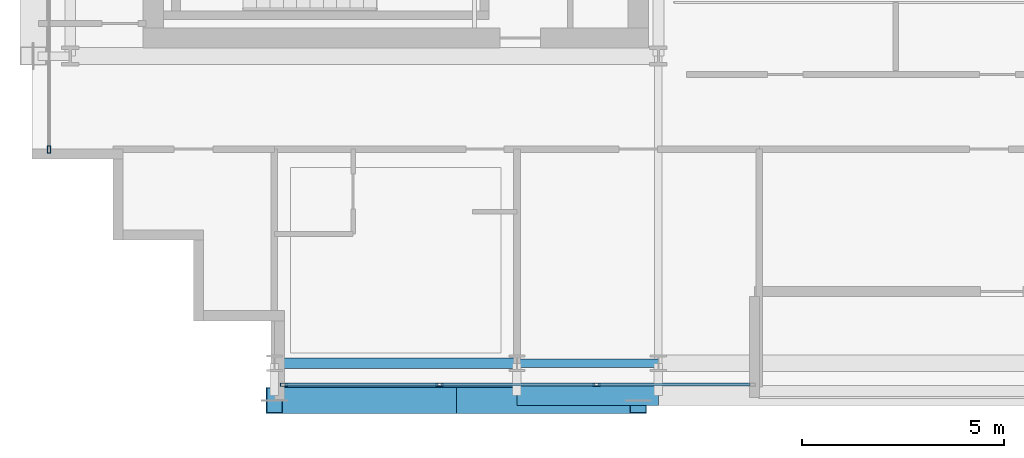
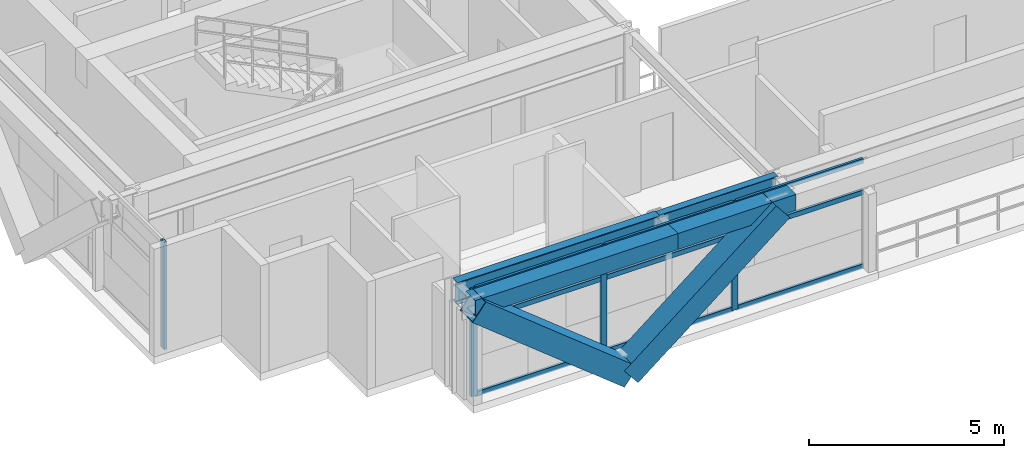
# One storey, part 2 of 32: 15 members, 4 beams, 2 elements without a shape of their own.
"""IFC4 building model written with IfcOpenShell, lengths in metres."""

from ifc_helpers import new_model, si_unit, direction, frame, origin, origin_2d, place, context, subcontext, project, spatial, hollow_rectangle, i_section, extrude, source, transform, mapped, material, layer, layer_set, material_profile, profile_set, type_object, element, aggregate, save


model = new_model("IFC4")

# Units and contexts
model_context = context("Model", 3, precision=1e-05, world=origin(), true_north=direction((0.0, 1.0)))
body_context = subcontext(model_context, "Body", "Model", "MODEL_VIEW")
ifc_project = project(units=[si_unit("LENGTHUNIT", "METRE"), si_unit("AREAUNIT", "SQUARE_METRE"), si_unit("VOLUMEUNIT", "CUBIC_METRE"), si_unit("PLANEANGLEUNIT", "RADIAN"), si_unit("MASSUNIT", "GRAM", prefix="KILO")], contexts=[model_context])

# Site, building, storey
site_placement = place(None, origin())
site = spatial("IfcSite", under=ifc_project, at=site_placement, CompositionType="ELEMENT")
building_placement = place(site_placement, origin())
building = spatial("IfcBuilding", under=site, at=building_placement, Name="Ocotamira Hotel", CompositionType="ELEMENT")
storey_placement = place(building_placement, frame((0.0, 0.0, 213.60009765625)))
storey = spatial("IfcBuildingStorey", under=building, at=storey_placement, Name="L54", CompositionType="ELEMENT", Elevation=213.60009765625)

# Beams
ifc_material_1 = material(Name="Steel ASTM A992 Grade 50", Category="steel")
ifc_material_profile_1 = material_profile(ifc_material_1, i_section(OverallWidth=0.256103515625, OverallDepth=0.693115234375, WebThickness=0.014404296875, FlangeThickness=0.023681640625, FilletRadius=0.01611328125, at=origin_2d()), Name="W27X114")
ifc_profile_set_1 = profile_set([ifc_material_profile_1], Name="Steel ASTM A992 Grade 50")
beam_type_1 = type_object("IfcBeamType", Name="BM-PRIM-W27X114", PredefinedType="BEAM", material=ifc_profile_set_1)
shared_shape_1 = source(origin(), body_context, "Body", "SweptSolid", [
    extrude(i_section(OverallWidth=0.256103515625, OverallDepth=0.693115234375, WebThickness=0.014404296875, FlangeThickness=0.023681640625, FilletRadius=0.01611328125, at=origin_2d()), origin(), (0.0, 0.0, 1.0), 6.0),
])
beam_1_placement = place(storey_placement, frame((14.0, 6.949951171875, 3.0234375), z_axis=(1.0, 0.0, 0.0), x_axis=(0.0, 1.0, 0.0)))
element("IfcBeam", 1, at=beam_1_placement, inside=storey, type_object=beam_type_1, Name="L54 Girder Y6.95 X14-20", PredefinedType="BEAM", context=body_context, shape_type="MappedRepresentation", body=[
    mapped(shared_shape_1, transform((0.0, 0.0, 0.0), scale=1.0)),
])
ifc_material_profile_2 = material_profile(ifc_material_1, i_section(OverallWidth=0.2099609375, OverallDepth=0.537109375, WebThickness=0.010986328125, FlangeThickness=0.017333984375, FilletRadius=0.012939453125, at=origin_2d()), Name="W21X68")
ifc_profile_set_2 = profile_set([ifc_material_profile_2], Name="Steel ASTM A992 Grade 50")
beam_type_2 = type_object("IfcBeamType", Name="BM-SEC-W21X68", PredefinedType="JOIST", material=ifc_profile_set_2)
shared_shape_2 = source(origin(), body_context, "Body", "SweptSolid", [
    extrude(i_section(OverallWidth=0.2099609375, OverallDepth=0.537109375, WebThickness=0.010986328125, FlangeThickness=0.017333984375, FilletRadius=0.012939453125, at=origin_2d()), origin(), (0.0, 0.0, 1.0), 3.5),
])
beam_2_placement = place(storey_placement, frame((20.0, 6.949951171875, 3.101318359375), z_axis=(1.0, 0.0, 0.0), x_axis=(0.0, 1.0, 0.0)))
element("IfcBeam", 2, at=beam_2_placement, inside=storey, type_object=beam_type_2, Name="L54 Girder Y6.95 X20-23.5", PredefinedType="JOIST", context=body_context, shape_type="MappedRepresentation", body=[
    mapped(shared_shape_2, transform((0.0, 0.0, 0.0), scale=1.0)),
])
ifc_material_2 = material(Name="Steel ASTM A500 Grade C", Category="steel")
ifc_material_profile_3 = material_profile(ifc_material_2, hollow_rectangle(XDim=0.5, YDim=0.5, WallThickness=0.02001953125, at=origin_2d()), Name="HSS500X500X20")
ifc_profile_set_3 = profile_set([ifc_material_profile_3], Name="Steel ASTM A500 Grade C")
beam_type_3 = type_object("IfcBeamType", Name="BM-SPAN-HSS500", PredefinedType="USERDEFINED", material=ifc_profile_set_3)
shared_shape_3 = source(origin(), body_context, "Body", "SweptSolid", [
    extrude(hollow_rectangle(XDim=0.5, YDim=0.5, WallThickness=0.02001953125, at=origin_2d()), origin(), (0.0, 0.0, 1.0), 6.0),
])
beam_3_placement = place(storey_placement, frame((14.0, 6.14990234375, 3.119873046875), z_axis=(1.0, 0.0, 0.0), x_axis=(0.0, 1.0, 0.0)))
element("IfcBeam", 3, at=beam_3_placement, inside=storey, type_object=beam_type_3, Name="L54 Edge Spandrel S X14-20", ObjectType="SPANDREL", PredefinedType="USERDEFINED", context=body_context, shape_type="MappedRepresentation", body=[
    mapped(shared_shape_3, transform((0.0, 0.0, 0.0), scale=1.0)),
])
shared_shape_4 = source(origin(), body_context, "Body", "SweptSolid", [
    extrude(hollow_rectangle(XDim=0.5, YDim=0.5, WallThickness=0.02001953125, at=origin_2d()), origin(), (0.0, 0.0, 1.0), 3.5),
])
beam_4_placement = place(storey_placement, frame((20.0, 6.14990234375, 3.119873046875), z_axis=(1.0, 0.0, 0.0), x_axis=(0.0, 1.0, 0.0)))
element("IfcBeam", 4, at=beam_4_placement, inside=storey, type_object=beam_type_3, Name="L54 Edge Spandrel S X20-23.5", ObjectType="SPANDREL", PredefinedType="USERDEFINED", context=body_context, shape_type="MappedRepresentation", body=[
    mapped(shared_shape_4, transform((0.0, 0.0, 0.0), scale=1.0)),
])

# Members
ifc_material_3 = material(Name="Pale-metal coated steel ASTM A913 Grade 65", Category="steel")
ifc_material_profile_4 = material_profile(ifc_material_3, hollow_rectangle(XDim=0.64990234375, YDim=0.64990234375, WallThickness=0.02197265625, at=origin_2d()), Name="BOX650X650X22")
ifc_profile_set_4 = profile_set([ifc_material_profile_4], Name="Pale-metal coated steel ASTM A913 Grade 65")
member_type_1 = type_object("IfcMemberType", Name="MEM-EXO-BOX650", PredefinedType="BRACE", material=ifc_profile_set_4)
shared_shape_5 = source(origin(), body_context, "Body", "SweptSolid", [
    extrude(hollow_rectangle(XDim=0.64990234375, YDim=0.64990234375, WallThickness=0.02197265625, at=origin_2d()), origin(), (0.0, 0.0, 1.0), 5.7626953125),
])
for number, where, z_axis, x_axis, name in (
    (5, (18.5, 6.030029296875, -0.47998046875), (-0.780881208953, 0.0, 0.624679547852), (0.0, -1.0, 0.0), "L54 Exoskeleton Diagrid S0.1"),
    (6, (18.5, 6.030029296875, -0.47998046875), (0.780881208953, 0.0, 0.624679547852), (0.0, 1.0, 0.0), "L54 Exoskeleton Diagrid S0.2"),
):
    element("IfcMember", number, at=place(storey_placement, frame(where, z_axis=z_axis, x_axis=x_axis)), inside=storey, type_object=member_type_1, Name=name, PredefinedType="BRACE", context=body_context, shape_type="MappedRepresentation", body=[
        mapped(shared_shape_5, transform((0.0, 0.0, 0.0), scale=1.0)),
    ])

# Curtain wall, members
ifc_material_4 = material(Name="Anodised pale-metal aluminium and solar glass", Category="aluminium")
ifc_layer = layer(ifc_material_4, 0.199951171875)
ifc_layer_set = layer_set([ifc_layer], Name="Anodised pale-metal aluminium and solar glass")
curtain_wall_type = type_object("IfcCurtainWallType", Name="CW-SYS4-Z3", PredefinedType="NOTDEFINED", material=ifc_layer_set)
curtain_wall_1_placement = place(storey_placement, origin())
curtain_wall_1 = element("IfcCurtainWall", 7, at=curtain_wall_1_placement, inside=storey, type_object=curtain_wall_type, Name="L54 Curtain Wall CW-4 CW-L54-S1", PredefinedType="NOTDEFINED")
ifc_material_5 = material(Name="Anodised pale-metal aluminium 6063-T6", Category="aluminium")
ifc_material_profile_5 = material_profile(ifc_material_5, hollow_rectangle(XDim=0.080078125, YDim=0.179931640625, WallThickness=0.006103515625, at=origin_2d()), Name="HSS180X80X6")
ifc_profile_set_5 = profile_set([ifc_material_profile_5], Name="Anodised pale-metal aluminium 6063-T6")
member_type_2 = type_object("IfcMemberType", Name="CWM-180X75", PredefinedType="MULLION", material=ifc_profile_set_5)
shared_shape_6 = source(origin(), body_context, "Body", "SweptSolid", [
    extrude(hollow_rectangle(XDim=0.080078125, YDim=0.179931640625, WallThickness=0.006103515625, at=origin_2d()), origin(), (0.0, 0.0, 1.0), 3.369873046875),
])
member_1_placement = place(storey_placement, frame((14.239990234375, 6.419921875, 0.0), z_axis=(0.0, 0.0, 1.0), x_axis=(0.0, 1.0, 0.0)))
member_1 = element("IfcMember", 8, at=member_1_placement, type_object=member_type_2, Name="CW-4 mullion 1", PredefinedType="MULLION", context=body_context, shape_type="MappedRepresentation", body=[
    mapped(shared_shape_6, transform((0.0, 0.0, 0.0), scale=1.0)),
])
member_2_placement = place(storey_placement, frame((18.083251953125, 6.419921875, 0.0), z_axis=(0.0, 0.0, 1.0), x_axis=(0.0, 1.0, 0.0)))
member_2 = element("IfcMember", 9, at=member_2_placement, type_object=member_type_2, Name="CW-4 mullion 2", PredefinedType="MULLION", context=body_context, shape_type="MappedRepresentation", body=[
    mapped(shared_shape_6, transform((0.0, 0.0, 0.0), scale=1.0)),
])
member_3_placement = place(storey_placement, frame((21.966552734375, 6.419921875, 0.0), z_axis=(0.0, 0.0, 1.0), x_axis=(0.0, 1.0, 0.0)))
member_3 = element("IfcMember", 10, at=member_3_placement, type_object=member_type_2, Name="CW-4 mullion 3", PredefinedType="MULLION", context=body_context, shape_type="MappedRepresentation", body=[
    mapped(shared_shape_6, transform((0.0, 0.0, 0.0), scale=1.0)),
])

# Curtain wall, member
curtain_wall_2_placement = place(storey_placement, origin())
curtain_wall_2 = element("IfcCurtainWall", 11, at=curtain_wall_2_placement, inside=storey, type_object=curtain_wall_type, Name="L54 Curtain Wall CW-4 CW-L54-W", PredefinedType="NOTDEFINED")
member_4_placement = place(storey_placement, frame((8.419921875, 12.239990234375, 0.0), z_axis=(0.0, 0.0, 1.0), x_axis=(-1.0, 0.0, 0.0)))
member_4 = element("IfcMember", 12, at=member_4_placement, type_object=member_type_2, Name="CW-4 mullion 1", PredefinedType="MULLION", context=body_context, shape_type="MappedRepresentation", body=[
    mapped(shared_shape_6, transform((0.0, 0.0, 0.0), scale=1.0)),
])
aggregate(curtain_wall_2, [member_4])

# Member
ifc_material_profile_6 = material_profile(ifc_material_5, hollow_rectangle(XDim=0.074951171875, YDim=0.14990234375, WallThickness=0.006103515625, at=origin_2d()), Name="HSS150X75X6")
ifc_profile_set_6 = profile_set([ifc_material_profile_6], Name="Anodised pale-metal aluminium 6063-T6")
member_type_3 = type_object("IfcMemberType", Name="CWT-150X75", PredefinedType="USERDEFINED", material=ifc_profile_set_6)
shared_shape_7 = source(origin(), body_context, "Body", "SweptSolid", [
    extrude(hollow_rectangle(XDim=0.074951171875, YDim=0.14990234375, WallThickness=0.006103515625, at=origin_2d()), origin(), (0.0, 0.0, 1.0), 3.76318359375),
])
member_5_placement = place(storey_placement, frame((14.280029296875, 6.419921875, 0.037353515625), z_axis=(1.0, 0.0, 0.0), x_axis=(0.0, 1.0, 0.0)))
member_5 = element("IfcMember", 13, at=member_5_placement, type_object=member_type_3, Name="CW-4 transom 1.1", ObjectType="TRANSOM", PredefinedType="USERDEFINED", context=body_context, shape_type="MappedRepresentation", body=[
    mapped(shared_shape_7, transform((0.0, 0.0, 0.0), scale=1.0)),
])

member_6_placement = place(storey_placement, frame((14.280029296875, 6.419921875, 2.349853515625), z_axis=(1.0, 0.0, 0.0), x_axis=(0.0, 1.0, 0.0)))
member_6 = element("IfcMember", 14, at=member_6_placement, type_object=member_type_3, Name="CW-4 transom 1.2", ObjectType="TRANSOM", PredefinedType="USERDEFINED", context=body_context, shape_type="MappedRepresentation", body=[
    mapped(shared_shape_7, transform((0.0, 0.0, 0.0), scale=1.0)),
])

member_7_placement = place(storey_placement, frame((14.280029296875, 6.419921875, 3.33251953125), z_axis=(1.0, 0.0, 0.0), x_axis=(0.0, 1.0, 0.0)))
member_7 = element("IfcMember", 15, at=member_7_placement, type_object=member_type_3, Name="CW-4 transom 1.3", ObjectType="TRANSOM", PredefinedType="USERDEFINED", context=body_context, shape_type="MappedRepresentation", body=[
    mapped(shared_shape_7, transform((0.0, 0.0, 0.0), scale=1.0)),
])

shared_shape_8 = source(origin(), body_context, "Body", "SweptSolid", [
    extrude(hollow_rectangle(XDim=0.074951171875, YDim=0.14990234375, WallThickness=0.006103515625, at=origin_2d()), origin(), (0.0, 0.0, 1.0), 3.803466796875),
])
member_8_placement = place(storey_placement, frame((18.123291015625, 6.419921875, 0.037353515625), z_axis=(1.0, 0.0, 0.0), x_axis=(0.0, 1.0, 0.0)))
member_8 = element("IfcMember", 16, at=member_8_placement, type_object=member_type_3, Name="CW-4 transom 2.1", ObjectType="TRANSOM", PredefinedType="USERDEFINED", context=body_context, shape_type="MappedRepresentation", body=[
    mapped(shared_shape_8, transform((0.0, 0.0, 0.0), scale=1.0)),
])

member_9_placement = place(storey_placement, frame((18.123291015625, 6.419921875, 2.349853515625), z_axis=(1.0, 0.0, 0.0), x_axis=(0.0, 1.0, 0.0)))
member_9 = element("IfcMember", 17, at=member_9_placement, type_object=member_type_3, Name="CW-4 transom 2.2", ObjectType="TRANSOM", PredefinedType="USERDEFINED", context=body_context, shape_type="MappedRepresentation", body=[
    mapped(shared_shape_8, transform((0.0, 0.0, 0.0), scale=1.0)),
])

member_10_placement = place(storey_placement, frame((18.123291015625, 6.419921875, 3.33251953125), z_axis=(1.0, 0.0, 0.0), x_axis=(0.0, 1.0, 0.0)))
member_10 = element("IfcMember", 18, at=member_10_placement, type_object=member_type_3, Name="CW-4 transom 2.3", ObjectType="TRANSOM", PredefinedType="USERDEFINED", context=body_context, shape_type="MappedRepresentation", body=[
    mapped(shared_shape_8, transform((0.0, 0.0, 0.0), scale=1.0)),
])

shared_shape_9 = source(origin(), body_context, "Body", "SweptSolid", [
    extrude(hollow_rectangle(XDim=0.074951171875, YDim=0.14990234375, WallThickness=0.006103515625, at=origin_2d()), origin(), (0.0, 0.0, 1.0), 3.763427734375),
])
member_11_placement = place(storey_placement, frame((22.006591796875, 6.419921875, 0.037353515625), z_axis=(1.0, 0.0, 0.0), x_axis=(0.0, 1.0, 0.0)))
member_11 = element("IfcMember", 19, at=member_11_placement, type_object=member_type_3, Name="CW-4 transom 3.1", ObjectType="TRANSOM", PredefinedType="USERDEFINED", context=body_context, shape_type="MappedRepresentation", body=[
    mapped(shared_shape_9, transform((0.0, 0.0, 0.0), scale=1.0)),
])

member_12_placement = place(storey_placement, frame((22.006591796875, 6.419921875, 2.349853515625), z_axis=(1.0, 0.0, 0.0), x_axis=(0.0, 1.0, 0.0)))
member_12 = element("IfcMember", 20, at=member_12_placement, type_object=member_type_3, Name="CW-4 transom 3.2", ObjectType="TRANSOM", PredefinedType="USERDEFINED", context=body_context, shape_type="MappedRepresentation", body=[
    mapped(shared_shape_9, transform((0.0, 0.0, 0.0), scale=1.0)),
])

member_13_placement = place(storey_placement, frame((22.006591796875, 6.419921875, 3.33251953125), z_axis=(1.0, 0.0, 0.0), x_axis=(0.0, 1.0, 0.0)))
member_13 = element("IfcMember", 21, at=member_13_placement, type_object=member_type_3, Name="CW-4 transom 3.3", ObjectType="TRANSOM", PredefinedType="USERDEFINED", context=body_context, shape_type="MappedRepresentation", body=[
    mapped(shared_shape_9, transform((0.0, 0.0, 0.0), scale=1.0)),
])

aggregate(curtain_wall_1, [member_1, member_2, member_3, member_5, member_6, member_7, member_8, member_9, member_10, member_11, member_12, member_13])

save(model, "model.ifc")
